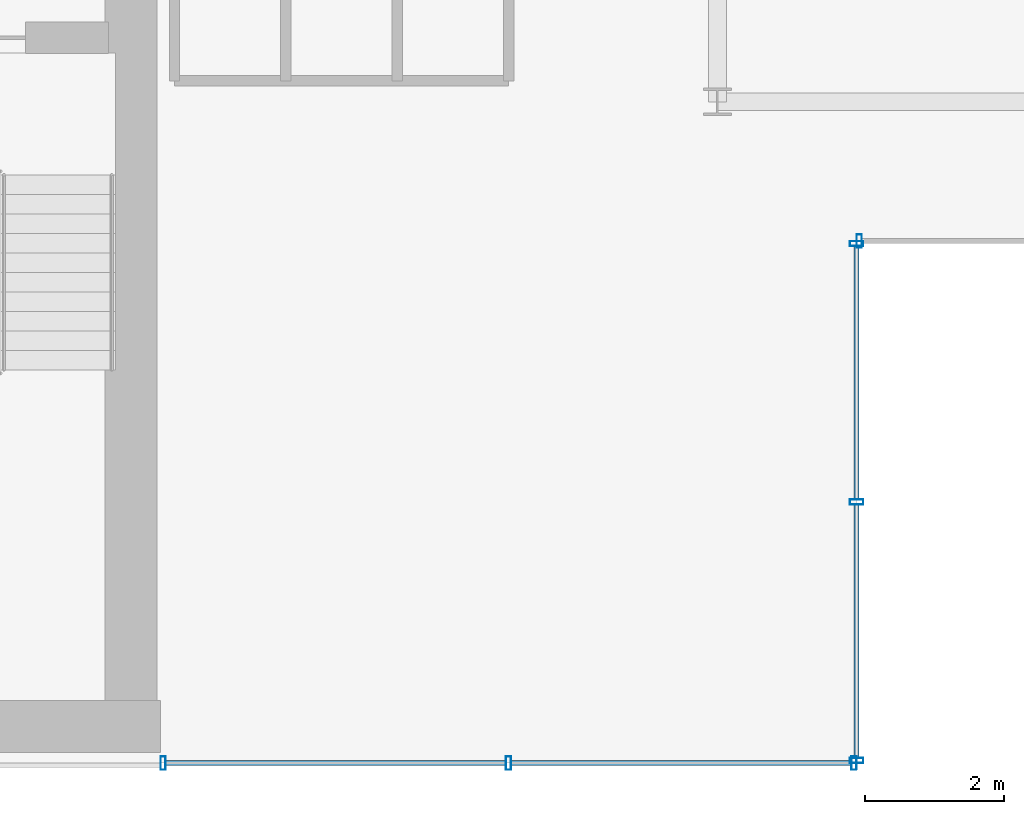
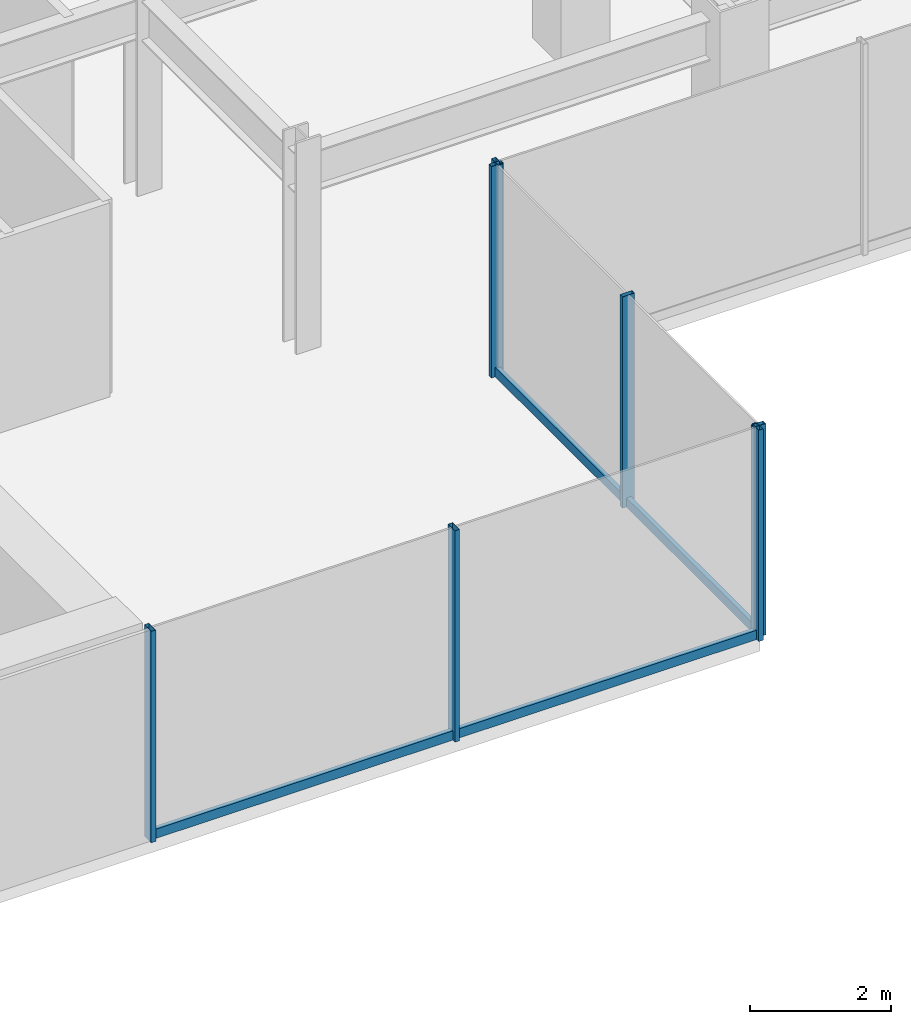
# One storey, part 8 of 26: 11 members, 3 elements without a shape of their own.
"""IFC4 building model written with IfcOpenShell, lengths in metres."""

from ifc_helpers import new_model, si_unit, derived_unit, direction, frame, origin, origin_2d, place, context, subcontext, project, spatial, hollow_rectangle, extrude, source, transform, mapped, material, material_profile, profile_set, type_object, element, aggregate, save


model = new_model("IFC4")

# Units and contexts
model_context = context("Model", 3, precision=1e-05, world=origin(), true_north=direction((0.0, 1.0)))
body_context = subcontext(model_context, "Body", "Model", "MODEL_VIEW")
ifc_project = project(units=[si_unit("LENGTHUNIT", "METRE"), si_unit("AREAUNIT", "SQUARE_METRE"), si_unit("VOLUMEUNIT", "CUBIC_METRE"), si_unit("PLANEANGLEUNIT", "RADIAN"), si_unit("MASSUNIT", "GRAM", prefix="KILO"), derived_unit("THERMALTRANSMITTANCEUNIT", [(si_unit("POWERUNIT", "WATT"), 1), (si_unit("LENGTHUNIT", "METRE"), -2), (si_unit("THERMODYNAMICTEMPERATUREUNIT", "KELVIN"), -1)])], contexts=[model_context])

# Site, building, storey
site_placement = place(None, origin())
site = spatial("IfcSite", under=ifc_project, at=site_placement, CompositionType="ELEMENT")
building_placement = place(site_placement, origin())
building = spatial("IfcBuilding", under=site, at=building_placement, Name="Skarnbrae Concourse Arena and Tower", CompositionType="ELEMENT")
storey_placement = place(building_placement, frame((0.0, 0.0, 132.449951171875)))
storey = spatial("IfcBuildingStorey", under=building, at=storey_placement, Name="L33", CompositionType="ELEMENT", Elevation=132.449951171875)

# Curtain wall, members
ifc_material = material(Name="Bronze anodised aluminium 6063-T6", Category="aluminium")
curtain_wall_type = type_object("IfcCurtainWallType", Name="CW-SYS-04-MIDZONE", PredefinedType="USERDEFINED", material=ifc_material)
curtain_wall_1_placement = place(storey_placement, origin())
curtain_wall_1 = element("IfcCurtainWall", 1, at=curtain_wall_1_placement, inside=storey, type_object=curtain_wall_type, Name="L33 Unitised curtain wall CW-L33-SE-SPINE", ObjectType="UNITISED CURTAIN WALL", PredefinedType="USERDEFINED")
ifc_material_profile_1 = material_profile(ifc_material, hollow_rectangle(XDim=0.074951171875, YDim=0.195068359375, WallThickness=0.00439453125, at=origin_2d()), Name="ALU-MULL-75X195")
ifc_profile_set_1 = profile_set([ifc_material_profile_1], Name="Bronze anodised aluminium 6063-T6")
member_type_1 = type_object("IfcMemberType", Name="CWM-CW-04", PredefinedType="MULLION", material=ifc_profile_set_1)
shared_shape_1 = source(origin(), body_context, "Body", "SweptSolid", [
    extrude(hollow_rectangle(XDim=0.074951171875, YDim=0.195068359375, WallThickness=0.00439453125, at=origin_2d()), origin(), (0.0, 0.0, 1.0), 3.650146484375),
])
member_1_placement = place(storey_placement, frame((34.03759765625, 0.0, 0.0), z_axis=(0.0, 0.0, 1.0), x_axis=(1.0, 0.0, 0.0)))
member_1 = element("IfcMember", 2, at=member_1_placement, type_object=member_type_1, Name="CW-L33-SE-SPINE Mullion 1", PredefinedType="MULLION", context=body_context, shape_type="MappedRepresentation", body=[
    mapped(shared_shape_1, transform((0.0, 0.0, 0.0))),
])
member_2_placement = place(storey_placement, frame((39.0, 0.0, 0.0), z_axis=(0.0, 0.0, 1.0), x_axis=(1.0, 0.0, 0.0)))
member_2 = element("IfcMember", 3, at=member_2_placement, type_object=member_type_1, Name="CW-L33-SE-SPINE Mullion 2", PredefinedType="MULLION", context=body_context, shape_type="MappedRepresentation", body=[
    mapped(shared_shape_1, transform((0.0, 0.0, 0.0))),
])
member_3_placement = place(storey_placement, frame((43.96240234375, 0.0, 0.0), z_axis=(0.0, 0.0, 1.0), x_axis=(1.0, 0.0, 0.0)))
member_3 = element("IfcMember", 4, at=member_3_placement, type_object=member_type_1, Name="CW-L33-SE-SPINE Mullion 3", PredefinedType="MULLION", context=body_context, shape_type="MappedRepresentation", body=[
    mapped(shared_shape_1, transform((0.0, 0.0, 0.0))),
])

curtain_wall_2_placement = place(storey_placement, origin())
curtain_wall_2 = element("IfcCurtainWall", 5, at=curtain_wall_2_placement, inside=storey, type_object=curtain_wall_type, Name="L33 Unitised curtain wall CW-L33-E02", ObjectType="UNITISED CURTAIN WALL", PredefinedType="USERDEFINED")
member_4_placement = place(storey_placement, frame((44.0, 0.03759765625, 0.0), z_axis=(0.0, 0.0, 1.0), x_axis=(0.0, 1.0, 0.0)))
member_4 = element("IfcMember", 6, at=member_4_placement, type_object=member_type_1, Name="CW-L33-E02 Mullion 1", PredefinedType="MULLION", context=body_context, shape_type="MappedRepresentation", body=[
    mapped(shared_shape_1, transform((0.0, 0.0, 0.0))),
])
member_5_placement = place(storey_placement, frame((44.0, 3.75, 0.0), z_axis=(0.0, 0.0, 1.0), x_axis=(0.0, 1.0, 0.0)))
member_5 = element("IfcMember", 7, at=member_5_placement, type_object=member_type_1, Name="CW-L33-E02 Mullion 2", PredefinedType="MULLION", context=body_context, shape_type="MappedRepresentation", body=[
    mapped(shared_shape_1, transform((0.0, 0.0, 0.0))),
])
member_6_placement = place(storey_placement, frame((44.0, 7.46240234375, 0.0), z_axis=(0.0, 0.0, 1.0), x_axis=(0.0, 1.0, 0.0)))
member_6 = element("IfcMember", 8, at=member_6_placement, type_object=member_type_1, Name="CW-L33-E02 Mullion 3", PredefinedType="MULLION", context=body_context, shape_type="MappedRepresentation", body=[
    mapped(shared_shape_1, transform((0.0, 0.0, 0.0))),
])

# Curtain wall, member
curtain_wall_3_placement = place(storey_placement, origin())
curtain_wall_3 = element("IfcCurtainWall", 9, at=curtain_wall_3_placement, inside=storey, type_object=curtain_wall_type, Name="L33 Unitised curtain wall CW-L33-E03", ObjectType="UNITISED CURTAIN WALL", PredefinedType="USERDEFINED")
member_7_placement = place(storey_placement, frame((44.03759765625, 7.5, 0.0), z_axis=(0.0, 0.0, 1.0), x_axis=(1.0, 0.0, 0.0)))
member_7 = element("IfcMember", 10, at=member_7_placement, type_object=member_type_1, Name="CW-L33-E03 Mullion 1", PredefinedType="MULLION", context=body_context, shape_type="MappedRepresentation", body=[
    mapped(shared_shape_1, transform((0.0, 0.0, 0.0))),
])
aggregate(curtain_wall_3, [member_7])

# Member
ifc_material_profile_2 = material_profile(ifc_material, hollow_rectangle(XDim=0.074951171875, YDim=0.159912109375, WallThickness=0.00439453125, at=origin_2d()), Name="ALU-TRAN-75X160")
ifc_profile_set_2 = profile_set([ifc_material_profile_2], Name="Bronze anodised aluminium 6063-T6")
member_type_2 = type_object("IfcMemberType", Name="CWT-CW-04", PredefinedType="USERDEFINED", material=ifc_profile_set_2)
shared_shape_2 = source(origin(), body_context, "Body", "SweptSolid", [
    extrude(hollow_rectangle(XDim=0.074951171875, YDim=0.159912109375, WallThickness=0.00439453125, at=origin_2d()), origin(), (0.0, 0.0, 1.0), 4.887451171875),
])
member_8_placement = place(storey_placement, frame((34.074951171875, 0.0, 0.080078125), z_axis=(1.0, 0.0, 0.0), x_axis=(0.0, 1.0, 0.0)))
member_8 = element("IfcMember", 11, at=member_8_placement, type_object=member_type_2, Name="CW-L33-SE-SPINE Transom 1", ObjectType="TRANSOM", PredefinedType="USERDEFINED", context=body_context, shape_type="MappedRepresentation", body=[
    mapped(shared_shape_2, transform((0.0, 0.0, 0.0))),
])

member_9_placement = place(storey_placement, frame((39.03759765625, 0.0, 0.080078125), z_axis=(1.0, 0.0, 0.0), x_axis=(0.0, 1.0, 0.0)))
member_9 = element("IfcMember", 12, at=member_9_placement, type_object=member_type_2, Name="CW-L33-SE-SPINE Transom 2", ObjectType="TRANSOM", PredefinedType="USERDEFINED", context=body_context, shape_type="MappedRepresentation", body=[
    mapped(shared_shape_2, transform((0.0, 0.0, 0.0))),
])

aggregate(curtain_wall_1, [member_1, member_2, member_3, member_8, member_9])

shared_shape_3 = source(origin(), body_context, "Body", "SweptSolid", [
    extrude(hollow_rectangle(XDim=0.074951171875, YDim=0.159912109375, WallThickness=0.00439453125, at=origin_2d()), origin(), (0.0, 0.0, 1.0), 3.637451171875),
])
member_10_placement = place(storey_placement, frame((44.0, 0.074951171875, 0.080078125), z_axis=(0.0, 1.0, 0.0), x_axis=(-1.0, 0.0, 0.0)))
member_10 = element("IfcMember", 13, at=member_10_placement, type_object=member_type_2, Name="CW-L33-E02 Transom 1", ObjectType="TRANSOM", PredefinedType="USERDEFINED", context=body_context, shape_type="MappedRepresentation", body=[
    mapped(shared_shape_3, transform((0.0, 0.0, 0.0))),
])

member_11_placement = place(storey_placement, frame((44.0, 3.78759765625, 0.080078125), z_axis=(0.0, 1.0, 0.0), x_axis=(-1.0, 0.0, 0.0)))
member_11 = element("IfcMember", 14, at=member_11_placement, type_object=member_type_2, Name="CW-L33-E02 Transom 2", ObjectType="TRANSOM", PredefinedType="USERDEFINED", context=body_context, shape_type="MappedRepresentation", body=[
    mapped(shared_shape_3, transform((0.0, 0.0, 0.0))),
])

aggregate(curtain_wall_2, [member_4, member_5, member_6, member_10, member_11])

save(model, "model.ifc")
